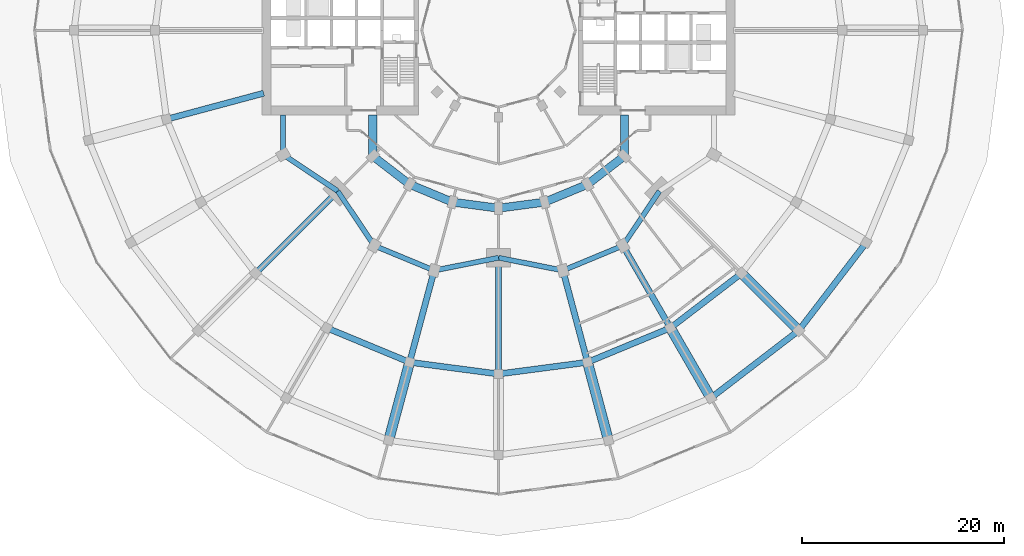
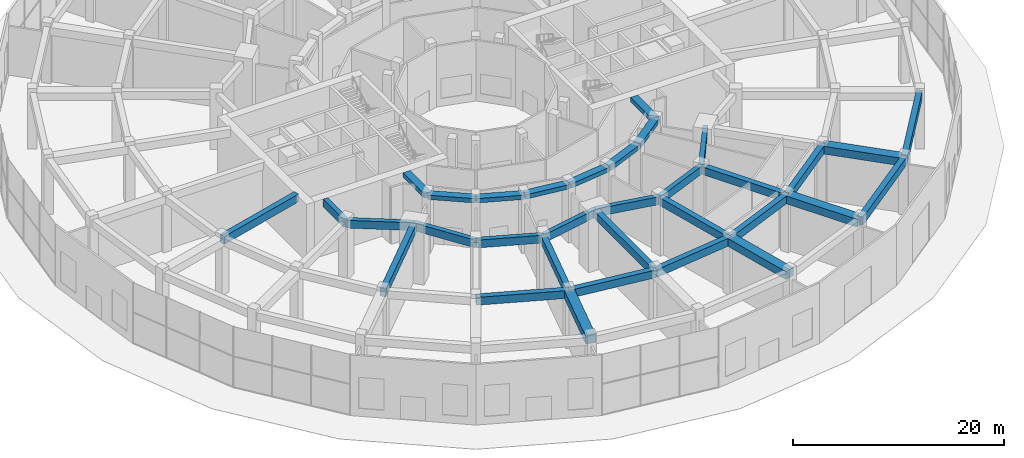
# One storey, part 7 of 31: 33 beams.
"""IFC4 building model written with IfcOpenShell, lengths in metres."""

from ifc_helpers import new_model, si_unit, direction, frame, origin, origin_2d, place, context, subcontext, project, spatial, rectangle, extrude, material, material_profile, profile_set, type_object, element, save


model = new_model("IFC4")

# Units and contexts
model_context = context("Model", 3, precision=1e-05, world=origin(), true_north=direction((0.0, 1.0)))
body_context = subcontext(model_context, "Body", "Model", "MODEL_VIEW")
ifc_project = project(units=[si_unit("LENGTHUNIT", "METRE"), si_unit("AREAUNIT", "SQUARE_METRE"), si_unit("VOLUMEUNIT", "CUBIC_METRE"), si_unit("PLANEANGLEUNIT", "RADIAN"), si_unit("MASSUNIT", "GRAM", prefix="KILO")], contexts=[model_context])

# Site, building, storey
site_placement = place(None, origin())
site = spatial("IfcSite", under=ifc_project, at=site_placement, CompositionType="ELEMENT")
building_placement = place(site_placement, origin())
building = spatial("IfcBuilding", under=site, at=building_placement, Name="Torre Brocal", CompositionType="ELEMENT")
storey_placement = place(building_placement, origin())
storey = spatial("IfcBuildingStorey", under=building, at=storey_placement, Name="L00", CompositionType="ELEMENT", Elevation=0.0)

# Beams
ifc_material_1 = material(Name="Concrete C50", Category="concrete")
ifc_material_profile_1 = material_profile(ifc_material_1, rectangle(XDim=0.60009765625, YDim=0.89990234375, at=origin_2d()), Name="RC 600X900")
ifc_profile_set_1 = profile_set([ifc_material_profile_1], Name="Concrete C50")
beam_type_1 = type_object("IfcBeamType", Name="RC BEAM 600X900 C50 TOP 6550", PredefinedType="BEAM", material=ifc_profile_set_1)
for number, where, z_axis, x_axis, name in (
    (1, (101.0, 38.626953125, 6.10009765625), (0.793354343168, 0.608760122032, 0.0), (-0.608760122032, 0.793354343168, 0.0), "Beam BT-07"),
    (2, (109.698486328125, 45.301513671875, 6.10009765625), (0.608760122032, 0.793354343168, 0.0), (-0.793354343168, 0.608760122032, 0.0), "Beam BT-07"),
):
    element("IfcBeam", number, at=place(storey_placement, frame(where, z_axis=z_axis, x_axis=x_axis)), inside=storey, type_object=beam_type_1, Name=name, PredefinedType="BEAM", context=body_context, shape_type="SweptSolid", body=[
        extrude(rectangle(XDim=0.60009765625, YDim=0.89990234375, at=origin_2d()), origin(), (0.0, 0.0, 1.0), 10.964111328125),
    ])
beam_1_placement = place(storey_placement, frame((63.0, 45.55517578125, 6.10009765625), z_axis=(0.923875692429, -0.382692703012, 0.0), x_axis=(0.382692703012, 0.923875692429, 0.0)))
element("IfcBeam", 3, at=beam_1_placement, inside=storey, type_object=beam_type_1, Name="Beam BT-07", PredefinedType="BEAM", context=body_context, shape_type="SweptSolid", body=[
    extrude(rectangle(XDim=0.60009765625, YDim=0.89990234375, at=origin_2d()), origin(), (0.0, 0.0, 1.0), 8.8759765625),
])
for number, where, z_axis, x_axis, name in (
    (4, (71.2001953125, 42.158447265625, 6.10009765625), (0.991445867372, -0.130518550679, 0.0), (0.130518550679, 0.991445867372, 0.0), "Beam BT-07"),
    (5, (80.0, 41.0, 6.10009765625), (0.991445867372, 0.130518550679, 0.0), (-0.130518550679, 0.991445867372, 0.0), "Beam BT-07"),
):
    element("IfcBeam", number, at=place(storey_placement, frame(where, z_axis=z_axis, x_axis=x_axis)), inside=storey, type_object=beam_type_1, Name=name, PredefinedType="BEAM", context=body_context, shape_type="SweptSolid", body=[
        extrude(rectangle(XDim=0.60009765625, YDim=0.89990234375, at=origin_2d()), origin(), (0.0, 0.0, 1.0), 8.875732421875),
    ])
beam_2_placement = place(storey_placement, frame((88.7998046875, 42.158447265625, 6.10009765625), z_axis=(0.923875692429, 0.382692703012, 0.0), x_axis=(-0.382692703012, 0.923875692429, 0.0)))
element("IfcBeam", 6, at=beam_2_placement, inside=storey, type_object=beam_type_1, Name="Beam BT-07", PredefinedType="BEAM", context=body_context, shape_type="SweptSolid", body=[
    extrude(rectangle(XDim=0.60009765625, YDim=0.89990234375, at=origin_2d()), origin(), (0.0, 0.0, 1.0), 8.8759765625),
])
beam_3_placement = place(storey_placement, frame((97.0, 45.55517578125, 6.10009765625), z_axis=(0.793366788253, 0.608743902882, 0.0), x_axis=(-0.608743902882, 0.793366788253, 0.0)))
element("IfcBeam", 7, at=beam_3_placement, inside=storey, type_object=beam_type_1, Name="Beam BT-07", PredefinedType="BEAM", context=body_context, shape_type="SweptSolid", body=[
    extrude(rectangle(XDim=0.60009765625, YDim=0.89990234375, at=origin_2d()), origin(), (0.0, 0.0, 1.0), 8.875732421875),
])
beam_4_placement = place(storey_placement, frame((56.76953125, 68.775390625, 6.10009765625), z_axis=(-0.965928009134, -0.258810898477, 0.0), x_axis=(0.258810898477, -0.965928009134, 0.0)))
element("IfcBeam", 8, at=beam_4_placement, inside=storey, type_object=beam_type_1, Name="Beam BT-07", PredefinedType="BEAM", context=body_context, shape_type="SweptSolid", body=[
    extrude(rectangle(XDim=0.60009765625, YDim=0.89990234375, at=origin_2d()), origin(), (0.0, 0.0, 1.0), 9.9501953125),
])
beam_5_placement = place(storey_placement, frame((64.090087890625, 59.090087890625, 6.10009765625), z_axis=(-0.707106781187, -0.707106781187, 0.0), x_axis=(0.707106781187, -0.707106781187, 0.0)))
element("IfcBeam", 9, at=beam_5_placement, inside=storey, type_object=beam_type_1, Name="Beam BT-07", PredefinedType="BEAM", context=body_context, shape_type="SweptSolid", body=[
    extrude(rectangle(XDim=0.60009765625, YDim=0.89990234375, at=origin_2d()), origin(), (0.0, 0.0, 1.0), 11.500244140625),
])
beam_6_placement = place(storey_placement, frame((73.633056640625, 51.23828125, 6.10009765625), z_axis=(-0.258811813801, -0.965927763881, 0.0), x_axis=(0.965927763881, -0.258811813801, 0.0)))
element("IfcBeam", 10, at=beam_6_placement, inside=storey, type_object=beam_type_1, Name="Beam BT-07", PredefinedType="BEAM", context=body_context, shape_type="SweptSolid", body=[
    extrude(rectangle(XDim=0.60009765625, YDim=0.89990234375, at=origin_2d()), origin(), (0.0, 0.0, 1.0), 9.400146484375),
])
beam_7_placement = place(storey_placement, frame((80.0, 52.5, 6.10009765625), z_axis=(0.0, -1.0, 0.0), x_axis=(1.0, 0.0, 0.0)))
element("IfcBeam", 11, at=beam_7_placement, inside=storey, type_object=beam_type_1, Name="Beam BT-07", PredefinedType="BEAM", context=body_context, shape_type="SweptSolid", body=[
    extrude(rectangle(XDim=0.60009765625, YDim=0.89990234375, at=origin_2d()), origin(), (0.0, 0.0, 1.0), 11.5),
])
beam_8_placement = place(storey_placement, frame((86.366943359375, 51.23828125, 6.10009765625), z_axis=(0.258811813801, -0.965927763881, 0.0), x_axis=(0.965927763881, 0.258811813801, 0.0)))
element("IfcBeam", 12, at=beam_8_placement, inside=storey, type_object=beam_type_1, Name="Beam BT-07", PredefinedType="BEAM", context=body_context, shape_type="SweptSolid", body=[
    extrude(rectangle(XDim=0.60009765625, YDim=0.89990234375, at=origin_2d()), origin(), (0.0, 0.0, 1.0), 9.400146484375),
])
beam_9_placement = place(storey_placement, frame((92.300048828125, 53.69580078125, 6.10009765625), z_axis=(0.499996739618, -0.866027286158, 0.0), x_axis=(0.866027286158, 0.499996739618, 0.0)))
element("IfcBeam", 13, at=beam_9_placement, inside=storey, type_object=beam_type_1, Name="Beam BT-07", PredefinedType="BEAM", context=body_context, shape_type="SweptSolid", body=[
    extrude(rectangle(XDim=0.60009765625, YDim=0.89990234375, at=origin_2d()), origin(), (0.0, 0.0, 1.0), 9.39990234375),
])
ifc_material_2 = material(Name="Concrete C50", Category="concrete")
ifc_material_profile_2 = material_profile(ifc_material_2, rectangle(XDim=0.800048828125, YDim=0.5, at=origin_2d()), Name="RC 800X500")
ifc_profile_set_2 = profile_set([ifc_material_profile_2], Name="Concrete C50")
beam_type_2 = type_object("IfcBeamType", Name="RC BEAM 800X500 C50 TOP 6550", PredefinedType="BEAM", material=ifc_profile_set_2)
beam_10_placement = place(storey_placement, frame((67.554931640625, 62.554931640625, 6.300048828125), z_axis=(0.0, 1.0, 0.0), x_axis=(-1.0, 0.0, 0.0)))
element("IfcBeam", 14, at=beam_10_placement, inside=storey, type_object=beam_type_2, Name="Beam BT-08", PredefinedType="BEAM", context=body_context, shape_type="SweptSolid", body=[
    extrude(rectangle(XDim=0.800048828125, YDim=0.5, at=origin_2d()), origin(), (0.0, 0.0, 1.0), 4.045166015625),
])
beam_11_placement = place(storey_placement, frame((67.554931640625, 62.554931640625, 6.300048828125), z_axis=(0.793358265959, -0.6087550097, 0.0), x_axis=(0.6087550097, 0.793358265959, 0.0)))
element("IfcBeam", 15, at=beam_11_placement, inside=storey, type_object=beam_type_2, Name="Beam BT-08", PredefinedType="BEAM", context=body_context, shape_type="SweptSolid", body=[
    extrude(rectangle(XDim=0.800048828125, YDim=0.5, at=origin_2d()), origin(), (0.0, 0.0, 1.0), 4.594482421875),
])
beam_12_placement = place(storey_placement, frame((71.199951171875, 59.758056640625, 6.300048828125), z_axis=(0.923878240166, -0.382686552348, 0.0), x_axis=(0.382686552348, 0.923878240166, 0.0)))
element("IfcBeam", 16, at=beam_12_placement, inside=storey, type_object=beam_type_2, Name="Beam BT-08", PredefinedType="BEAM", context=body_context, shape_type="SweptSolid", body=[
    extrude(rectangle(XDim=0.800048828125, YDim=0.5, at=origin_2d()), origin(), (0.0, 0.0, 1.0), 4.5947265625),
])
for number, where, z_axis, x_axis, name in (
    (17, (75.44482421875, 57.999755859375, 6.300048828125), (0.991440544449, -0.130558978332, 0.0), (0.130558978332, 0.991440544449, 0.0), "Beam BT-08"),
    (18, (80.0, 57.39990234375, 6.300048828125), (0.991440544449, 0.130558978332, 0.0), (-0.130558978332, 0.991440544449, 0.0), "Beam BT-08"),
):
    element("IfcBeam", number, at=place(storey_placement, frame(where, z_axis=z_axis, x_axis=x_axis)), inside=storey, type_object=beam_type_2, Name=name, PredefinedType="BEAM", context=body_context, shape_type="SweptSolid", body=[
        extrude(rectangle(XDim=0.800048828125, YDim=0.5, at=origin_2d()), origin(), (0.0, 0.0, 1.0), 4.594482421875),
    ])
beam_13_placement = place(storey_placement, frame((84.55517578125, 57.999755859375, 6.300048828125), z_axis=(0.923878240166, 0.382686552348, 0.0), x_axis=(-0.382686552348, 0.923878240166, 0.0)))
element("IfcBeam", 19, at=beam_13_placement, inside=storey, type_object=beam_type_2, Name="Beam BT-08", PredefinedType="BEAM", context=body_context, shape_type="SweptSolid", body=[
    extrude(rectangle(XDim=0.800048828125, YDim=0.5, at=origin_2d()), origin(), (0.0, 0.0, 1.0), 4.5947265625),
])
beam_14_placement = place(storey_placement, frame((88.800048828125, 59.758056640625, 6.300048828125), z_axis=(0.793358265959, 0.6087550097, 0.0), x_axis=(-0.6087550097, 0.793358265959, 0.0)))
element("IfcBeam", 20, at=beam_14_placement, inside=storey, type_object=beam_type_2, Name="Beam BT-08", PredefinedType="BEAM", context=body_context, shape_type="SweptSolid", body=[
    extrude(rectangle(XDim=0.800048828125, YDim=0.5, at=origin_2d()), origin(), (0.0, 0.0, 1.0), 4.594482421875),
])
beam_15_placement = place(storey_placement, frame((92.445068359375, 62.554931640625, 6.300048828125), z_axis=(0.0, 1.0, 0.0), x_axis=(-1.0, 0.0, 0.0)))
element("IfcBeam", 21, at=beam_15_placement, inside=storey, type_object=beam_type_2, Name="Beam BT-08", PredefinedType="BEAM", context=body_context, shape_type="SweptSolid", body=[
    extrude(rectangle(XDim=0.800048828125, YDim=0.5, at=origin_2d()), origin(), (0.0, 0.0, 1.0), 4.045166015625),
])
ifc_material_3 = material(Name="Concrete C50", Category="concrete")
ifc_material_profile_3 = material_profile(ifc_material_3, rectangle(XDim=0.5, YDim=0.89990234375, at=origin_2d()), Name="RC 500X900")
ifc_profile_set_3 = profile_set([ifc_material_profile_3], Name="Concrete C50")
beam_type_3 = type_object("IfcBeamType", Name="RC SPANDREL BEAM 500X900 C50 TOP 6550", PredefinedType="SPANDREL", material=ifc_profile_set_3)
beam_16_placement = place(storey_placement, frame((58.69580078125, 62.699951171875, 6.10009765625), z_axis=(0.0, 1.0, 0.0), x_axis=(-1.0, 0.0, 0.0)))
element("IfcBeam", 22, at=beam_16_placement, inside=storey, type_object=beam_type_3, Name="Beam BT-09", PredefinedType="SPANDREL", context=body_context, shape_type="SweptSolid", body=[
    extrude(rectangle(XDim=0.5, YDim=0.89990234375, at=origin_2d()), origin(), (0.0, 0.0, 1.0), 3.900146484375),
])
for number, where, z_axis, x_axis, name in (
    (23, (58.69580078125, 62.699951171875, 6.10009765625), (0.831076844476, -0.556157602282, 0.0), (0.556157602282, 0.831076844476, 0.0), "Beam BT-09"),
    (24, (64.090087890625, 59.090087890625, 6.10009765625), (0.556157602282, -0.831076844476, 0.0), (0.831076844476, 0.556157602282, 0.0), "Beam BT-09"),
):
    element("IfcBeam", number, at=place(storey_placement, frame(where, z_axis=z_axis, x_axis=x_axis)), inside=storey, type_object=beam_type_3, Name=name, PredefinedType="SPANDREL", context=body_context, shape_type="SweptSolid", body=[
        extrude(rectangle(XDim=0.5, YDim=0.89990234375, at=origin_2d()), origin(), (0.0, 0.0, 1.0), 6.49072265625),
    ])
beam_17_placement = place(storey_placement, frame((67.699951171875, 53.69580078125, 6.10009765625), z_axis=(0.923882462513, -0.382676358639, 0.0), x_axis=(0.382676358639, 0.923882462513, 0.0)))
element("IfcBeam", 25, at=beam_17_placement, inside=storey, type_object=beam_type_3, Name="Beam BT-09", PredefinedType="SPANDREL", context=body_context, shape_type="SweptSolid", body=[
    extrude(rectangle(XDim=0.5, YDim=0.89990234375, at=origin_2d()), origin(), (0.0, 0.0, 1.0), 6.421875),
])
for number, where, z_axis, x_axis, name in (
    (26, (73.633056640625, 51.23828125, 6.10009765625), (0.980924907484, 0.194387051723, 0.0), (-0.194387051723, 0.980924907484, 0.0), "Beam BT-09"),
    (27, (80.0, 52.5, 6.10009765625), (0.980924907484, -0.194387051723, 0.0), (0.194387051723, 0.980924907484, 0.0), "Beam BT-09"),
):
    element("IfcBeam", number, at=place(storey_placement, frame(where, z_axis=z_axis, x_axis=x_axis)), inside=storey, type_object=beam_type_3, Name=name, PredefinedType="SPANDREL", context=body_context, shape_type="SweptSolid", body=[
        extrude(rectangle(XDim=0.5, YDim=0.89990234375, at=origin_2d()), origin(), (0.0, 0.0, 1.0), 6.49072265625),
    ])
beam_18_placement = place(storey_placement, frame((86.366943359375, 51.23828125, 6.10009765625), z_axis=(0.923882462513, 0.382676358639, 0.0), x_axis=(-0.382676358639, 0.923882462513, 0.0)))
element("IfcBeam", 28, at=beam_18_placement, inside=storey, type_object=beam_type_3, Name="Beam BT-09", PredefinedType="SPANDREL", context=body_context, shape_type="SweptSolid", body=[
    extrude(rectangle(XDim=0.5, YDim=0.89990234375, at=origin_2d()), origin(), (0.0, 0.0, 1.0), 6.421875),
])
beam_19_placement = place(storey_placement, frame((92.300048828125, 53.69580078125, 6.10009765625), z_axis=(0.556157602282, 0.831076844476, 0.0), x_axis=(-0.831076844476, 0.556157602282, 0.0)))
element("IfcBeam", 29, at=beam_19_placement, inside=storey, type_object=beam_type_3, Name="Beam BT-09", PredefinedType="SPANDREL", context=body_context, shape_type="SweptSolid", body=[
    extrude(rectangle(XDim=0.5, YDim=0.89990234375, at=origin_2d()), origin(), (0.0, 0.0, 1.0), 6.49072265625),
])
ifc_material_4 = material(Name="Concrete C60", Category="concrete")
ifc_material_profile_4 = material_profile(ifc_material_4, rectangle(XDim=1.0, YDim=0.89990234375, at=origin_2d()), Name="RC 1000X900")
ifc_profile_set_4 = profile_set([ifc_material_profile_4], Name="Concrete C60")
beam_type_4 = type_object("IfcBeamType", Name="RC TRANSFER GIRDER 1000X900 C60 TOP 6550", PredefinedType="BEAM", material=ifc_profile_set_4)
for number, where, z_axis, x_axis, name in (
    (30, (71.2001953125, 42.158447265625, 6.10009765625), (-0.258823034556, -0.965924757309, 0.0), (0.965924757309, -0.258823034556, 0.0), "Beam TG-01"),
    (31, (88.7998046875, 42.158447265625, 6.10009765625), (0.258823034556, -0.965924757309, 0.0), (0.965924757309, 0.258823034556, 0.0), "Beam TG-01"),
    (32, (97.0, 45.55517578125, 6.10009765625), (0.49999894854, -0.866026010844, 0.0), (0.866026010844, 0.49999894854, 0.0), "Beam TG-01"),
):
    element("IfcBeam", number, at=place(storey_placement, frame(where, z_axis=z_axis, x_axis=x_axis)), inside=storey, type_object=beam_type_4, Name=name, PredefinedType="BEAM", context=body_context, shape_type="SweptSolid", body=[
        extrude(rectangle(XDim=1.0, YDim=0.89990234375, at=origin_2d()), origin(), (0.0, 0.0, 1.0), 8.0),
    ])
beam_20_placement = place(storey_placement, frame((104.041748046875, 50.958251953125, 6.10009765625), z_axis=(0.707106781187, -0.707106781187, 0.0), x_axis=(0.707106781187, 0.707106781187, 0.0)))
element("IfcBeam", 33, at=beam_20_placement, inside=storey, type_object=beam_type_4, Name="Beam TG-01", PredefinedType="BEAM", context=body_context, shape_type="SweptSolid", body=[
    extrude(rectangle(XDim=1.0, YDim=0.89990234375, at=origin_2d()), origin(), (0.0, 0.0, 1.0), 7.999755859375),
])

save(model, "model.ifc")
